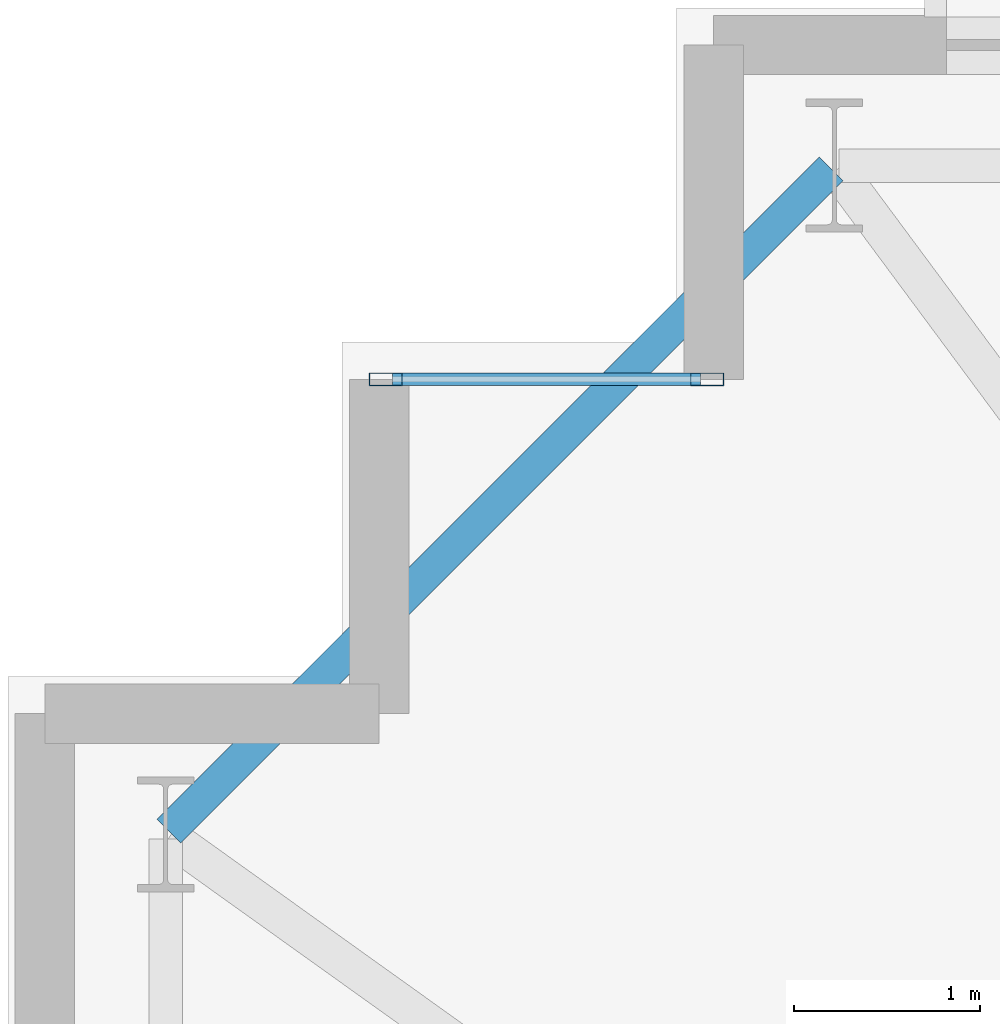
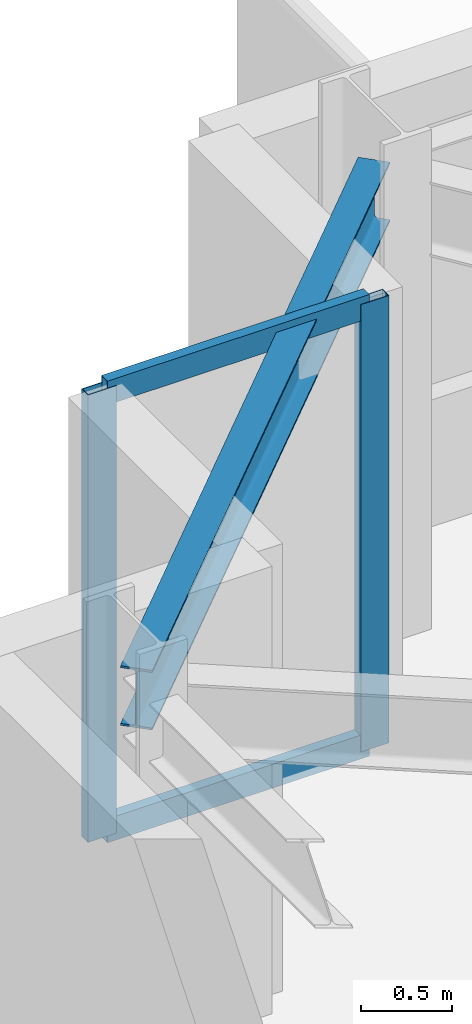
# One storey, part 8 of 20: 4 members, 1 beam, 1 element without a shape of its own.
"""IFC4 building model written with IfcOpenShell, lengths in metres."""

from ifc_helpers import new_model, si_unit, direction, frame, origin, origin_2d, place, context, subcontext, project, spatial, hollow_rectangle, i_section, extrude, material, layer, layer_set, material_profile, profile_set, type_object, element, aggregate, save


model = new_model("IFC4")

# Units and contexts
model_context = context("Model", 3, precision=1e-05, world=origin(), true_north=direction((0.0, 1.0)))
body_context = subcontext(model_context, "Body", "Model", "MODEL_VIEW")
ifc_project = project(units=[si_unit("LENGTHUNIT", "METRE"), si_unit("AREAUNIT", "SQUARE_METRE"), si_unit("VOLUMEUNIT", "CUBIC_METRE"), si_unit("PLANEANGLEUNIT", "RADIAN"), si_unit("MASSUNIT", "GRAM", prefix="KILO")], contexts=[model_context])

# Site, building, storey
site_placement = place(None, origin())
site = spatial("IfcSite", under=ifc_project, at=site_placement, CompositionType="ELEMENT")
building_placement = place(site_placement, origin())
building = spatial("IfcBuilding", under=site, at=building_placement, Name="Qobustan Lattice House", CompositionType="ELEMENT")
storey_placement = place(building_placement, frame((0.0, 0.0, 70.550048828125)))
storey = spatial("IfcBuildingStorey", under=building, at=storey_placement, Name="L19", CompositionType="ELEMENT", Elevation=70.550048828125)

# Beam
ifc_material_1 = material(Name="Steel S355", Category="steel")
ifc_material_profile_1 = material_profile(ifc_material_1, i_section(OverallWidth=0.179931640625, OverallDepth=0.39990234375, WebThickness=0.008544921875, FlangeThickness=0.013427734375, FilletRadius=0.02099609375, at=origin_2d()), Name="IPE400")
ifc_profile_set_1 = profile_set([ifc_material_profile_1], Name="Steel S355")
beam_type = type_object("IfcBeamType", Name="BM-SPD-IPE400", PredefinedType="SPANDREL", material=ifc_profile_set_1)
beam_placement = place(storey_placement, frame((-28.567626953125, 18.732421875, 2.800048828125), z_axis=(-0.707106781187, -0.707106781187, 0.0), x_axis=(0.707106781187, -0.707106781187, 0.0)))
element("IfcBeam", 1, at=beam_placement, inside=storey, type_object=beam_type, Name="L19 perimeter spandrel N7-W1", PredefinedType="SPANDREL", context=body_context, shape_type="SweptSolid", body=[
    extrude(i_section(OverallWidth=0.179931640625, OverallDepth=0.39990234375, WebThickness=0.008544921875, FlangeThickness=0.013427734375, FilletRadius=0.02099609375, at=origin_2d()), origin(), (0.0, 0.0, 1.0), 5.041259765625),
])

# Curtain wall, members
ifc_material_2 = material(Name="Anodised aluminium and low-E glazing", Category="aluminium")
ifc_layer = layer(ifc_material_2, 0.219970703125)
ifc_layer_set = layer_set([ifc_layer], Name="Anodised aluminium and low-E glazing")
curtain_wall_type = type_object("IfcCurtainWallType", Name="CW-FAC-01", PredefinedType="USERDEFINED", material=ifc_layer_set)
curtain_wall_placement = place(storey_placement, origin())
curtain_wall = element("IfcCurtainWall", 2, at=curtain_wall_placement, inside=storey, type_object=curtain_wall_type, Name="L19 serrated corner faceted glazing 8", ObjectType="CURTAIN WALL", PredefinedType="USERDEFINED")
ifc_material_3 = material(Name="Anodised aluminium EN AW-6063 T6", Category="aluminium")
ifc_material_profile_2 = material_profile(ifc_material_3, hollow_rectangle(XDim=0.070068359375, YDim=0.179931640625, WallThickness=0.00439453125, at=origin_2d()), Name="CWM-180x70")
ifc_profile_set_2 = profile_set([ifc_material_profile_2], Name="Anodised aluminium EN AW-6063 T6")
member_type_1 = type_object("IfcMemberType", Name="CWM-STD-180", PredefinedType="MULLION", material=ifc_profile_set_2)
member_1_placement = place(storey_placement, frame((-30.965087890625, 17.60009765625, 0.0), z_axis=(0.0, 0.0, 1.0), x_axis=(0.0, 1.0, 0.0)))
member_1 = element("IfcMember", 3, at=member_1_placement, type_object=member_type_1, Name="CW-F1 mullion 1", PredefinedType="MULLION", context=body_context, shape_type="SweptSolid", body=[
    extrude(hollow_rectangle(XDim=0.070068359375, YDim=0.179931640625, WallThickness=0.00439453125, at=origin_2d()), origin(), (0.0, 0.0, 1.0), 3.0),
])
member_2_placement = place(storey_placement, frame((-29.235107421875, 17.60009765625, 0.0), z_axis=(0.0, 0.0, 1.0), x_axis=(0.0, 1.0, 0.0)))
member_2 = element("IfcMember", 4, at=member_2_placement, type_object=member_type_1, Name="CW-F1 mullion 2", PredefinedType="MULLION", context=body_context, shape_type="SweptSolid", body=[
    extrude(hollow_rectangle(XDim=0.070068359375, YDim=0.179931640625, WallThickness=0.00439453125, at=origin_2d()), origin(), (0.0, 0.0, 1.0), 3.0),
])
ifc_material_4 = material(Name="Anodised aluminium EN AW-6063 T6", Category="aluminium")
ifc_material_profile_3 = material_profile(ifc_material_4, hollow_rectangle(XDim=0.06494140625, YDim=0.159912109375, WallThickness=0.00390625, at=origin_2d()), Name="CWT-160x65")
ifc_profile_set_3 = profile_set([ifc_material_profile_3], Name="Anodised aluminium EN AW-6063 T6")
member_type_2 = type_object("IfcMemberType", Name="CWT-HOR-160", PredefinedType="USERDEFINED", material=ifc_profile_set_3)
member_3_placement = place(storey_placement, frame((-30.929931640625, 17.60009765625, 0.032470703125), z_axis=(1.0, 0.0, 0.0), x_axis=(0.0, 1.0, 0.0)))
member_3 = element("IfcMember", 5, at=member_3_placement, type_object=member_type_2, Name="CW-F1 transom 1.1", ObjectType="TRANSOM", PredefinedType="USERDEFINED", context=body_context, shape_type="SweptSolid", body=[
    extrude(hollow_rectangle(XDim=0.06494140625, YDim=0.159912109375, WallThickness=0.00390625, at=origin_2d()), origin(), (0.0, 0.0, 1.0), 1.659912109375),
])
member_4_placement = place(storey_placement, frame((-30.929931640625, 17.60009765625, 2.967529296875), z_axis=(1.0, 0.0, 0.0), x_axis=(0.0, 1.0, 0.0)))
member_4 = element("IfcMember", 6, at=member_4_placement, type_object=member_type_2, Name="CW-F1 transom 1.2", ObjectType="TRANSOM", PredefinedType="USERDEFINED", context=body_context, shape_type="SweptSolid", body=[
    extrude(hollow_rectangle(XDim=0.06494140625, YDim=0.159912109375, WallThickness=0.00390625, at=origin_2d()), origin(), (0.0, 0.0, 1.0), 1.659912109375),
])
aggregate(curtain_wall, [member_1, member_2, member_3, member_4])

save(model, "model.ifc")
